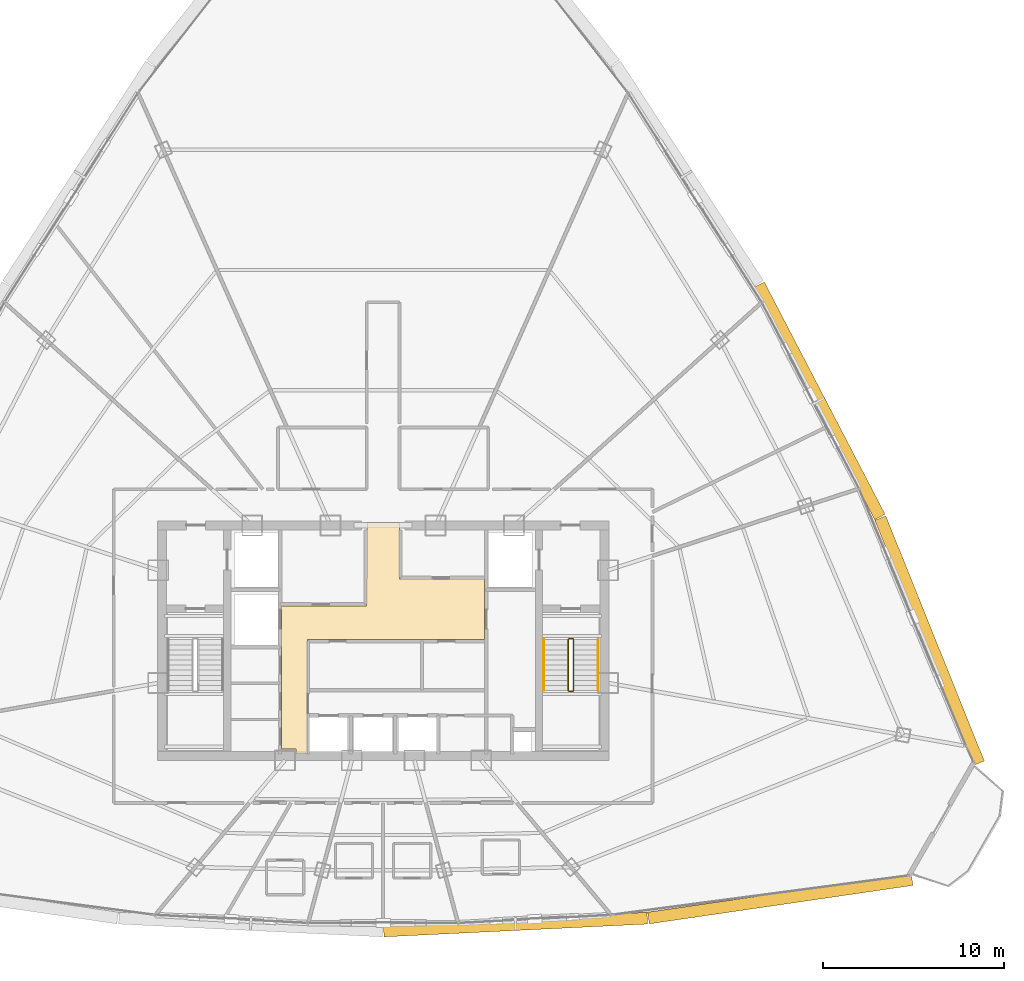
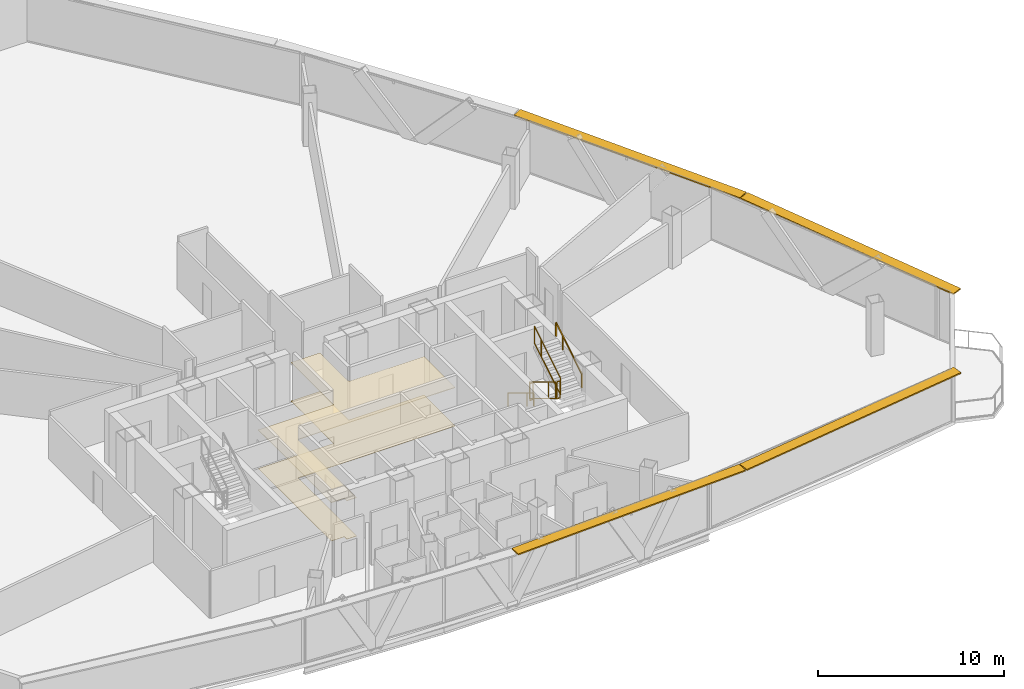
# One storey, part 36 of 37: 6 railings, 4 shading devices, 2 coverings.
"""IFC4 building model written with IfcOpenShell, lengths in metres."""

from ifc_helpers import new_model, si_unit, direction, frame, origin, origin_2d, place, context, subcontext, project, spatial, polyline, rectangle, outline, extrude, source, transform, mapped, material, layer, layer_set, type_object, element, save


model = new_model("IFC4")

# Units and contexts
model_context = context("Model", 3, precision=1e-05, world=origin(), true_north=direction((0.0, 1.0)))
body_context = subcontext(model_context, "Body", "Model", "MODEL_VIEW")
ifc_project = project(units=[si_unit("LENGTHUNIT", "METRE"), si_unit("AREAUNIT", "SQUARE_METRE"), si_unit("VOLUMEUNIT", "CUBIC_METRE"), si_unit("PLANEANGLEUNIT", "RADIAN"), si_unit("MASSUNIT", "GRAM", prefix="KILO"), si_unit("THERMODYNAMICTEMPERATUREUNIT", "KELVIN"), si_unit("POWERUNIT", "WATT")], contexts=[model_context])

# Site, building, storey
site_placement = place(None, origin())
site = spatial("IfcSite", under=ifc_project, at=site_placement, CompositionType="ELEMENT")
building_placement = place(site_placement, origin())
building = spatial("IfcBuilding", under=site, at=building_placement, Name="Yunzhuo Pagoda Commons", CompositionType="ELEMENT")
storey_placement = place(building_placement, frame((0.0, 0.0, 281.2900390625)))
storey = spatial("IfcBuildingStorey", under=building, at=storey_placement, Name="L70", CompositionType="ELEMENT", Elevation=281.2900390625)

# Coverings
ifc_material_1 = material(Name="Micro-perforated metal baffle ceiling")
ifc_layer_1 = layer(ifc_material_1, 0.034912109375)
ifc_layer_set_1 = layer_set([ifc_layer_1], Name="Micro-perforated metal baffle ceiling")
covering_type_1 = type_object("IfcCoveringType", Name="COV-CL3 Ceiling 35", PredefinedType="CEILING", material=ifc_layer_set_1)
covering_1_placement = place(storey_placement, frame((0.0, 0.0, 2.52001953125)))
element("IfcCovering", 1, at=covering_1_placement, inside=storey, type_object=covering_type_1, Name="L70 lift lobby acoustic ceiling", PredefinedType="CEILING", context=body_context, shape_type="SweptSolid", body=[
    extrude(outline(polyline([(42.39990234375, 35.75), (47.080078125, 35.75), (47.080078125, 37.25), (47.10009765625, 37.25), (47.10009765625, 40.35009765625), (48.89990234375, 40.35009765625), (48.89990234375, 37.25), (53.580078125, 37.25), (53.580078125, 33.89990234375), (43.820068359375, 33.89990234375), (43.820068359375, 27.60009765625), (43.207763671875, 27.60009765625), (43.207763671875, 27.85009765625), (43.201904296875, 27.864013671875), (43.187744140625, 27.8701171875), (42.39990234375, 27.8701171875), (42.39990234375, 33.89990234375), (42.39990234375, 35.75)])), origin(), (0.0, 0.0, 1.0), 0.034912109375),
])
ifc_material_2 = material(Name="Resilient acoustic studio flooring")
ifc_layer_2 = layer(ifc_material_2, 0.01806640625)
ifc_layer_set_2 = layer_set([ifc_layer_2], Name="Resilient acoustic studio flooring")
covering_type_2 = type_object("IfcCoveringType", Name="COV-FL3 Flooring 18", PredefinedType="FLOORING", material=ifc_layer_set_2)
covering_2_placement = place(storey_placement, origin())
element("IfcCovering", 2, at=covering_2_placement, inside=storey, type_object=covering_type_2, Name="L70 lift lobby flooring", PredefinedType="FLOORING", context=body_context, shape_type="SweptSolid", body=[
    extrude(outline(polyline([(42.39990234375, 35.75), (47.080078125, 35.75), (47.080078125, 37.25), (47.10009765625, 37.25), (47.10009765625, 40.35009765625), (48.89990234375, 40.35009765625), (48.89990234375, 37.25), (53.580078125, 37.25), (53.580078125, 33.89990234375), (43.820068359375, 33.89990234375), (43.820068359375, 27.60009765625), (43.207763671875, 27.60009765625), (43.207763671875, 27.85009765625), (43.201904296875, 27.864013671875), (43.187744140625, 27.8701171875), (42.39990234375, 27.8701171875), (42.39990234375, 33.89990234375), (42.39990234375, 35.75)])), origin(), (0.0, 0.0, 1.0), 0.01806640625),
])

# Railings
ifc_material_3 = material(Name="Anodized aluminium 6063-T6", Category="aluminium")
railing_type_1 = type_object("IfcRailingType", Name="GR-ST2 Stair Well Guardrail 1160", PredefinedType="GUARDRAIL", material=ifc_material_3)
railing_1_placement = place(storey_placement, frame((58.199951171875, 33.89990234375, 0.16943359375)))
element("IfcRailing", 3, at=railing_1_placement, inside=storey, type_object=railing_type_1, Name="L70 ST2 stair guard 1", PredefinedType="GUARDRAIL", context=body_context, shape_type="SweptSolid", body=[
    extrude(rectangle(XDim=0.048095703125, YDim=0.048095703125, at=origin_2d()), frame((0.0, 0.0, 1.1259765625), z_axis=(0.0, -0.855373106579, 0.518012401918), x_axis=(1.0, 0.0, 0.0)), (0.0, 0.0, 1.0), 3.273193359375),
    extrude(rectangle(XDim=0.048095703125, YDim=0.048095703125, at=origin_2d()), frame((0.0, 0.0, 0.02392578125), z_axis=(0.0, -0.855373106579, 0.518012401918), x_axis=(1.0, 0.0, 0.0)), (0.0, 0.0, 1.0), 3.273193359375),
    extrude(rectangle(XDim=0.0419921875, YDim=0.0419921875, at=origin_2d()), origin(), (0.0, 0.0, 1.0), 1.101806640625),
    extrude(rectangle(XDim=0.0419921875, YDim=0.0419921875, at=origin_2d()), frame((0.0, -2.052978515625, 1.2431640625)), (0.0, 0.0, 1.0), 1.101806640625),
    extrude(rectangle(XDim=0.0419921875, YDim=0.0419921875, at=origin_2d()), frame((0.0, -2.7998046875, 1.695556640625)), (0.0, 0.0, 1.0), 1.101806640625),
])
railing_2_placement = place(storey_placement, frame((58.25, 31.050048828125, 1.864990234375)))
element("IfcRailing", 4, at=railing_2_placement, inside=storey, type_object=railing_type_1, Name="L70 ST2 stair guard 2", PredefinedType="GUARDRAIL", context=body_context, shape_type="SweptSolid", body=[
    extrude(rectangle(XDim=0.048095703125, YDim=0.048095703125, at=origin_2d()), frame((0.0, 0.0, 1.1259765625), z_axis=(1.0, 0.0, 0.0), x_axis=(0.0, 1.0, 0.0)), (0.0, 0.0, 1.0), 0.199951171875),
    extrude(rectangle(XDim=0.048095703125, YDim=0.048095703125, at=origin_2d()), frame((0.0, 0.0, 0.02392578125), z_axis=(1.0, 0.0, 0.0), x_axis=(0.0, 1.0, 0.0)), (0.0, 0.0, 1.0), 0.199951171875),
    extrude(rectangle(XDim=0.0419921875, YDim=0.0419921875, at=origin_2d()), origin(), (0.0, 0.0, 1.0), 1.101806640625),
    extrude(rectangle(XDim=0.0419921875, YDim=0.0419921875, at=origin_2d()), frame((0.199951171875, 0.0, 0.0)), (0.0, 0.0, 1.0), 1.101806640625),
])
railing_3_placement = place(storey_placement, frame((58.5, 31.10009765625, 2.034423828125)))
element("IfcRailing", 5, at=railing_3_placement, inside=storey, type_object=railing_type_1, Name="L70 ST2 stair guard 3", PredefinedType="GUARDRAIL", context=body_context, shape_type="SweptSolid", body=[
    extrude(rectangle(XDim=0.048095703125, YDim=0.048095703125, at=origin_2d()), frame((0.0, 0.0, 1.1259765625), z_axis=(0.0, 0.855373106579, 0.518012401918), x_axis=(-1.0, 0.0, 0.0)), (0.0, 0.0, 1.0), 3.273193359375),
    extrude(rectangle(XDim=0.048095703125, YDim=0.048095703125, at=origin_2d()), frame((0.0, 0.0, 0.02392578125), z_axis=(0.0, 0.855373106579, 0.518012401918), x_axis=(-1.0, 0.0, 0.0)), (0.0, 0.0, 1.0), 3.273193359375),
    extrude(rectangle(XDim=0.0419921875, YDim=0.0419921875, at=origin_2d()), origin(), (0.0, 0.0, 1.0), 1.101806640625),
    extrude(rectangle(XDim=0.0419921875, YDim=0.0419921875, at=origin_2d()), frame((0.0, 2.052978515625, 1.2431640625)), (0.0, 0.0, 1.0), 1.101806640625),
    extrude(rectangle(XDim=0.0419921875, YDim=0.0419921875, at=origin_2d()), frame((0.0, 2.7998046875, 1.695556640625)), (0.0, 0.0, 1.0), 1.101806640625),
])
railing_4_placement = place(storey_placement, frame((58.25, 33.949951171875, 0.0)))
element("IfcRailing", 6, at=railing_4_placement, inside=storey, type_object=railing_type_1, Name="L70 ST2 stair guard 4", PredefinedType="GUARDRAIL", context=body_context, shape_type="SweptSolid", body=[
    extrude(rectangle(XDim=0.048095703125, YDim=0.048095703125, at=origin_2d()), frame((0.0, 0.0, 1.1259765625), z_axis=(1.0, 0.0, 0.0), x_axis=(0.0, 1.0, 0.0)), (0.0, 0.0, 1.0), 0.199951171875),
    extrude(rectangle(XDim=0.048095703125, YDim=0.048095703125, at=origin_2d()), frame((0.0, 0.0, 0.02392578125), z_axis=(1.0, 0.0, 0.0), x_axis=(0.0, 1.0, 0.0)), (0.0, 0.0, 1.0), 0.199951171875),
    extrude(rectangle(XDim=0.0419921875, YDim=0.0419921875, at=origin_2d()), origin(), (0.0, 0.0, 1.0), 1.101806640625),
    extrude(rectangle(XDim=0.0419921875, YDim=0.0419921875, at=origin_2d()), frame((0.199951171875, 0.0, 0.0)), (0.0, 0.0, 1.0), 1.101806640625),
])
railing_type_2 = type_object("IfcRailingType", Name="HR-ST2 Stair Handrail 900", PredefinedType="HANDRAIL", material=ifc_material_3)
railing_5_placement = place(storey_placement, frame((56.85009765625, 33.89990234375, 0.16943359375)))
element("IfcRailing", 7, at=railing_5_placement, inside=storey, type_object=railing_type_2, Name="L70 ST2 stair handrail 1", PredefinedType="HANDRAIL", context=body_context, shape_type="SweptSolid", body=[
    extrude(rectangle(XDim=0.048095703125, YDim=0.048095703125, at=origin_2d()), frame((0.0, 0.0, 0.8759765625), z_axis=(0.0, -0.855373106579, 0.518012401918), x_axis=(1.0, 0.0, 0.0)), (0.0, 0.0, 1.0), 3.273193359375),
    extrude(rectangle(XDim=0.0419921875, YDim=0.0419921875, at=origin_2d()), origin(), (0.0, 0.0, 1.0), 0.851806640625),
    extrude(rectangle(XDim=0.0419921875, YDim=0.0419921875, at=origin_2d()), frame((0.0, -2.052978515625, 1.2431640625)), (0.0, 0.0, 1.0), 0.851806640625),
    extrude(rectangle(XDim=0.0419921875, YDim=0.0419921875, at=origin_2d()), frame((0.0, -2.7998046875, 1.695556640625)), (0.0, 0.0, 1.0), 0.851806640625),
])
railing_6_placement = place(storey_placement, frame((59.85009765625, 31.10009765625, 2.034423828125)))
element("IfcRailing", 8, at=railing_6_placement, inside=storey, type_object=railing_type_2, Name="L70 ST2 stair handrail 2", PredefinedType="HANDRAIL", context=body_context, shape_type="SweptSolid", body=[
    extrude(rectangle(XDim=0.048095703125, YDim=0.048095703125, at=origin_2d()), frame((0.0, 0.0, 0.8759765625), z_axis=(0.0, 0.855373106579, 0.518012401918), x_axis=(-1.0, 0.0, 0.0)), (0.0, 0.0, 1.0), 3.273193359375),
    extrude(rectangle(XDim=0.0419921875, YDim=0.0419921875, at=origin_2d()), origin(), (0.0, 0.0, 1.0), 0.851806640625),
    extrude(rectangle(XDim=0.0419921875, YDim=0.0419921875, at=origin_2d()), frame((0.0, 2.052978515625, 1.2431640625)), (0.0, 0.0, 1.0), 0.851806640625),
    extrude(rectangle(XDim=0.0419921875, YDim=0.0419921875, at=origin_2d()), frame((0.0, 2.7998046875, 1.695556640625)), (0.0, 0.0, 1.0), 0.851806640625),
])

# Shading devices
ifc_layer_3 = layer(ifc_material_3, 0.080078125)
ifc_layer_set_3 = layer_set([ifc_layer_3], Name="Anodized aluminium 6063-T6")
shading_device_type = type_object("IfcShadingDeviceType", Name="SH-SUN1 Pagoda Horizontal Sunshade Eave 650", PredefinedType="USERDEFINED", material=ifc_layer_set_3)
shared_shape_1 = source(origin(), body_context, "Body", "SweptSolid", [
    extrude(rectangle(XDim=14.69140625, YDim=0.64990234375, at=origin_2d()), origin(), (0.0, 0.0, 1.0), 0.080078125),
])
shading_device_1_placement = place(storey_placement, frame((69.89990234375, 19.613037109375, 3.389892578125), z_axis=(0.0, 0.0, 1.0), x_axis=(0.989510666697, 0.144459823108, 0.0)))
element("IfcShadingDevice", 9, at=shading_device_1_placement, inside=storey, type_object=shading_device_type, Name="L70 horizontal pagoda sunshade eave F1.4", ObjectType="SUNSHADE", PredefinedType="USERDEFINED", context=body_context, shape_type="MappedRepresentation", body=[
    mapped(shared_shape_1, transform((0.0, 0.0, 0.0), scale=1.0)),
])
shared_shape_2 = source(origin(), body_context, "Body", "SweptSolid", [
    extrude(rectangle(XDim=14.55419921875, YDim=0.64990234375, at=origin_2d()), origin(), (0.0, 0.0, 1.0), 0.080078125),
])
shading_device_2_placement = place(storey_placement, frame((55.300048828125, 18.192138671875, 3.389892578125), z_axis=(0.0, 0.0, 1.0), x_axis=(0.998818043775, 0.04860571396, 0.0)))
element("IfcShadingDevice", 10, at=shading_device_2_placement, inside=storey, type_object=shading_device_type, Name="L70 horizontal pagoda sunshade eave F1.3", ObjectType="SUNSHADE", PredefinedType="USERDEFINED", context=body_context, shape_type="MappedRepresentation", body=[
    mapped(shared_shape_2, transform((0.0, 0.0, 0.0), scale=1.0)),
])
shared_shape_3 = source(origin(), body_context, "Body", "SweptSolid", [
    extrude(rectangle(XDim=14.5732421875, YDim=0.64990234375, at=origin_2d()), origin(), (0.0, 0.0, 1.0), 0.080078125),
])
shading_device_3_placement = place(storey_placement, frame((78.13330078125, 33.84814453125, 3.389892578125), z_axis=(0.0, 0.0, 1.0), x_axis=(-0.372987782576, 0.927836253899, 0.0)))
element("IfcShadingDevice", 11, at=shading_device_3_placement, inside=storey, type_object=shading_device_type, Name="L70 horizontal pagoda sunshade eave F2.1", ObjectType="SUNSHADE", PredefinedType="USERDEFINED", context=body_context, shape_type="MappedRepresentation", body=[
    mapped(shared_shape_3, transform((0.0, 0.0, 0.0), scale=1.0)),
])
shared_shape_4 = source(origin(), body_context, "Body", "SweptSolid", [
    extrude(rectangle(XDim=14.434814453125, YDim=0.64990234375, at=origin_2d()), origin(), (0.0, 0.0, 1.0), 0.080078125),
])
shading_device_4_placement = place(storey_placement, frame((72.060302734375, 47.0703125, 3.389892578125), z_axis=(0.0, 0.0, 1.0), x_axis=(-0.461206683033, 0.88729273384, 0.0)))
element("IfcShadingDevice", 12, at=shading_device_4_placement, inside=storey, type_object=shading_device_type, Name="L70 horizontal pagoda sunshade eave F2.2", ObjectType="SUNSHADE", PredefinedType="USERDEFINED", context=body_context, shape_type="MappedRepresentation", body=[
    mapped(shared_shape_4, transform((0.0, 0.0, 0.0), scale=1.0)),
])

save(model, "model.ifc")
